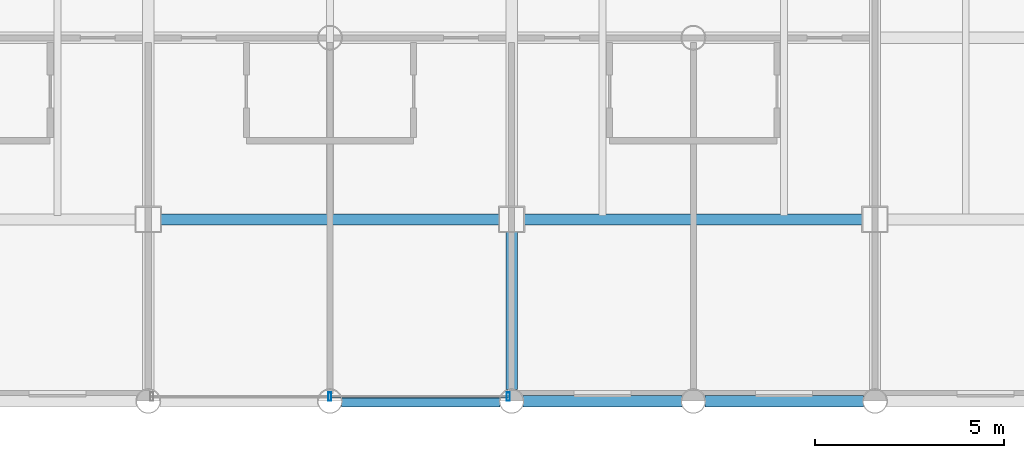
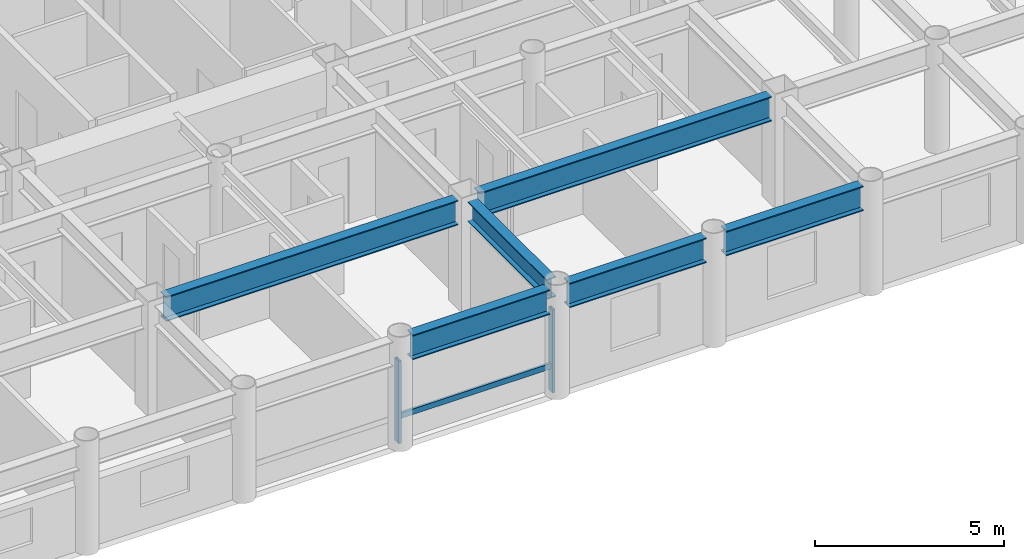
# One storey, part 6 of 20: 6 beams, 3 members, 1 element without a shape of its own.
"""IFC4 building model written with IfcOpenShell, lengths in metres."""

from ifc_helpers import new_model, si_unit, direction, frame, origin, origin_2d, place, context, subcontext, project, spatial, hollow_rectangle, i_section, extrude, material, layer, layer_set, material_profile, profile_set, type_object, element, aggregate, save


model = new_model("IFC4")

# Units and contexts
model_context = context("Model", 3, precision=1e-05, world=origin(), true_north=direction((0.0, 1.0)))
body_context = subcontext(model_context, "Body", "Model", "MODEL_VIEW")
ifc_project = project(units=[si_unit("LENGTHUNIT", "METRE"), si_unit("AREAUNIT", "SQUARE_METRE"), si_unit("VOLUMEUNIT", "CUBIC_METRE"), si_unit("PLANEANGLEUNIT", "RADIAN"), si_unit("MASSUNIT", "GRAM", prefix="KILO")], contexts=[model_context])

# Site, building, storey
site_placement = place(None, origin())
site = spatial("IfcSite", under=ifc_project, at=site_placement, CompositionType="ELEMENT")
building_placement = place(site_placement, origin())
building = spatial("IfcBuilding", under=site, at=building_placement, Name="Kallvorn Hotel Tower", CompositionType="ELEMENT")
storey_placement = place(building_placement, frame((0.0, 0.0, 128.5)))
storey = spatial("IfcBuildingStorey", under=building, at=storey_placement, Name="L31", CompositionType="ELEMENT", Elevation=128.5)

# Beams
ifc_material_1 = material(Name="Structural steel S355JR", Category="steel")
ifc_material_profile_1 = material_profile(ifc_material_1, i_section(OverallWidth=0.300048828125, OverallDepth=0.64990234375, WebThickness=0.01611328125, FlangeThickness=0.031005859375, at=origin_2d()), Name="HE 650 B")
ifc_profile_set_1 = profile_set([ifc_material_profile_1], Name="Structural steel S355JR")
beam_type_1 = type_object("IfcBeamType", Name="BM_HE650B", PredefinedType="BEAM", material=ifc_profile_set_1)
beam_1_placement = place(storey_placement, frame((4.800048828125, -18.89501953125, 3.195068359375), z_axis=(0.0, 1.0, 0.0), x_axis=(-1.0, 0.0, 0.0)))
element("IfcBeam", 1, at=beam_1_placement, inside=storey, type_object=beam_type_1, Name="L32 Primary Y-Girder 114", PredefinedType="BEAM", context=body_context, shape_type="SweptSolid", body=[
    extrude(i_section(OverallWidth=0.300048828125, OverallDepth=0.64990234375, WebThickness=0.01611328125, FlangeThickness=0.031005859375, at=origin_2d()), origin(), (0.0, 0.0, 1.0), 4.169921875),
])
ifc_material_2 = material(Name="Structural steel S355JR", Category="steel")
ifc_material_profile_2 = material_profile(ifc_material_2, i_section(OverallWidth=0.300048828125, OverallDepth=0.800048828125, WebThickness=0.017578125, FlangeThickness=0.032958984375, at=origin_2d()), Name="HE 800 B")
ifc_profile_set_2 = profile_set([ifc_material_profile_2], Name="Structural steel S355JR")
beam_type_2 = type_object("IfcBeamType", Name="BM_HE800B", PredefinedType="BEAM", material=ifc_profile_set_2)
beam_2_placement = place(storey_placement, frame((0.304931640625, -19.199951171875, 3.1201171875), z_axis=(1.0, 0.0, 0.0), x_axis=(0.0, 1.0, 0.0)))
element("IfcBeam", 2, at=beam_2_placement, inside=storey, type_object=beam_type_2, Name="L32 Primary X-Girder 07", PredefinedType="BEAM", context=body_context, shape_type="SweptSolid", body=[
    extrude(i_section(OverallWidth=0.300048828125, OverallDepth=0.800048828125, WebThickness=0.017578125, FlangeThickness=0.032958984375, at=origin_2d()), origin(), (0.0, 0.0, 1.0), 4.190185546875),
])
for number, where, z_axis, x_axis, name in (
    (3, (5.10498046875, -19.199951171875, 3.1201171875), (1.0, 0.0, 0.0), (0.0, 1.0, 0.0), "L32 Primary X-Girder 08"),
    (4, (9.905029296875, -19.199951171875, 3.1201171875), (1.0, 0.0, 0.0), (0.0, 1.0, 0.0), "L32 Primary X-Girder 09"),
):
    element("IfcBeam", number, at=place(storey_placement, frame(where, z_axis=z_axis, x_axis=x_axis)), inside=storey, type_object=beam_type_2, Name=name, PredefinedType="BEAM", context=body_context, shape_type="SweptSolid", body=[
        extrude(i_section(OverallWidth=0.300048828125, OverallDepth=0.800048828125, WebThickness=0.017578125, FlangeThickness=0.032958984375, at=origin_2d()), origin(), (0.0, 0.0, 1.0), 4.18994140625),
    ])
beam_3_placement = place(storey_placement, frame((-4.47509765625, -14.39990234375, 3.1201171875), z_axis=(1.0, 0.0, 0.0), x_axis=(0.0, 1.0, 0.0)))
element("IfcBeam", 5, at=beam_3_placement, inside=storey, type_object=beam_type_2, Name="L32 Primary X-Girder 18", PredefinedType="BEAM", context=body_context, shape_type="SweptSolid", body=[
    extrude(i_section(OverallWidth=0.300048828125, OverallDepth=0.800048828125, WebThickness=0.017578125, FlangeThickness=0.032958984375, at=origin_2d()), origin(), (0.0, 0.0, 1.0), 8.9501953125),
])
beam_4_placement = place(storey_placement, frame((5.125, -14.39990234375, 3.1201171875), z_axis=(1.0, 0.0, 0.0), x_axis=(0.0, 1.0, 0.0)))
element("IfcBeam", 6, at=beam_4_placement, inside=storey, type_object=beam_type_2, Name="L32 Primary X-Girder 19", PredefinedType="BEAM", context=body_context, shape_type="SweptSolid", body=[
    extrude(i_section(OverallWidth=0.300048828125, OverallDepth=0.800048828125, WebThickness=0.017578125, FlangeThickness=0.032958984375, at=origin_2d()), origin(), (0.0, 0.0, 1.0), 8.949951171875),
])

# Curtain wall, members
ifc_material_3 = material(Name="Thermally broken black-anodised aluminium AA 6063-T6", Category="aluminium")
ifc_layer = layer(ifc_material_3, 0.2099609375)
ifc_layer_set = layer_set([ifc_layer], Name="CW_SYS_4_HOTEL_MID")
curtain_wall_type = type_object("IfcCurtainWallType", Name="CW_SYS_4_HOTEL_MID", PredefinedType="USERDEFINED", material=ifc_layer_set)
curtain_wall_placement = place(storey_placement, origin())
curtain_wall = element("IfcCurtainWall", 7, at=curtain_wall_placement, inside=storey, type_object=curtain_wall_type, Name="L31 Dark-Glass Curtain Wall CW-L31-SC", ObjectType="UNITISED CURTAIN WALL", PredefinedType="USERDEFINED")
ifc_material_4 = material(Name="Thermally broken black-anodised aluminium AA 6063-T6", Category="aluminium")
ifc_material_profile_3 = material_profile(ifc_material_4, hollow_rectangle(XDim=0.080078125, YDim=0.219970703125, WallThickness=0.0048828125, at=origin_2d()), Name="MUL 220x80")
ifc_profile_set_3 = profile_set([ifc_material_profile_3], Name="Thermally broken black-anodised aluminium AA 6063-T6")
member_type_1 = type_object("IfcMemberType", Name="CW_MULLION_220x80", PredefinedType="MULLION", material=ifc_profile_set_3)
member_1_placement = place(storey_placement, frame((0.0, -19.080078125, 0.02001953125), z_axis=(0.0, 0.0, 1.0), x_axis=(1.0, 0.0, 0.0)))
member_1 = element("IfcMember", 8, at=member_1_placement, type_object=member_type_1, Name="CW-L31-SC Mullion 01", PredefinedType="MULLION", context=body_context, shape_type="SweptSolid", body=[
    extrude(hollow_rectangle(XDim=0.080078125, YDim=0.219970703125, WallThickness=0.0048828125, at=origin_2d()), origin(), (0.0, 0.0, 1.0), 2.679931640625),
])
member_2_placement = place(storey_placement, frame((4.7099609375, -19.080078125, 0.02001953125), z_axis=(0.0, 0.0, 1.0), x_axis=(1.0, 0.0, 0.0)))
member_2 = element("IfcMember", 9, at=member_2_placement, type_object=member_type_1, Name="CW-L31-SC Mullion 02", PredefinedType="MULLION", context=body_context, shape_type="SweptSolid", body=[
    extrude(hollow_rectangle(XDim=0.080078125, YDim=0.219970703125, WallThickness=0.0048828125, at=origin_2d()), origin(), (0.0, 0.0, 1.0), 2.679931640625),
])
ifc_material_5 = material(Name="Thermally broken black-anodised aluminium AA 6063-T6", Category="aluminium")
ifc_material_profile_4 = material_profile(ifc_material_5, hollow_rectangle(XDim=0.070068359375, YDim=0.179931640625, WallThickness=0.00390625, at=origin_2d()), Name="TRN 180x70")
ifc_profile_set_4 = profile_set([ifc_material_profile_4], Name="Thermally broken black-anodised aluminium AA 6063-T6")
member_type_2 = type_object("IfcMemberType", Name="CW_TRANSOM_180x70", PredefinedType="USERDEFINED", material=ifc_profile_set_4)
member_3_placement = place(storey_placement, frame((0.0400390625, -19.080078125, 0.85009765625), z_axis=(1.0, 0.0, 0.0), x_axis=(0.0, 1.0, 0.0)))
member_3 = element("IfcMember", 10, at=member_3_placement, type_object=member_type_2, Name="CW-L31-SC Transom 01M", ObjectType="TRANSOM", PredefinedType="USERDEFINED", context=body_context, shape_type="SweptSolid", body=[
    extrude(hollow_rectangle(XDim=0.070068359375, YDim=0.179931640625, WallThickness=0.00390625, at=origin_2d()), origin(), (0.0, 0.0, 1.0), 4.669921875),
])
aggregate(curtain_wall, [member_1, member_2, member_3])

save(model, "model.ifc")
